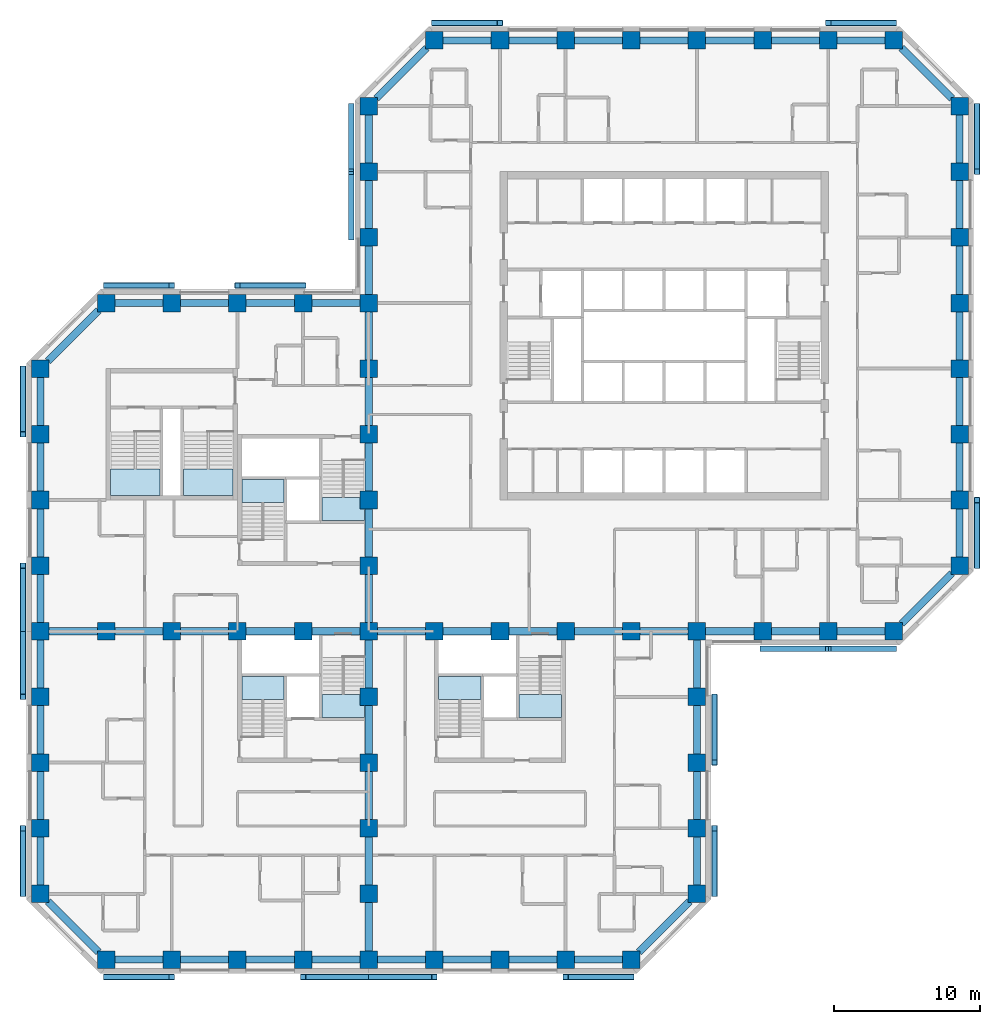
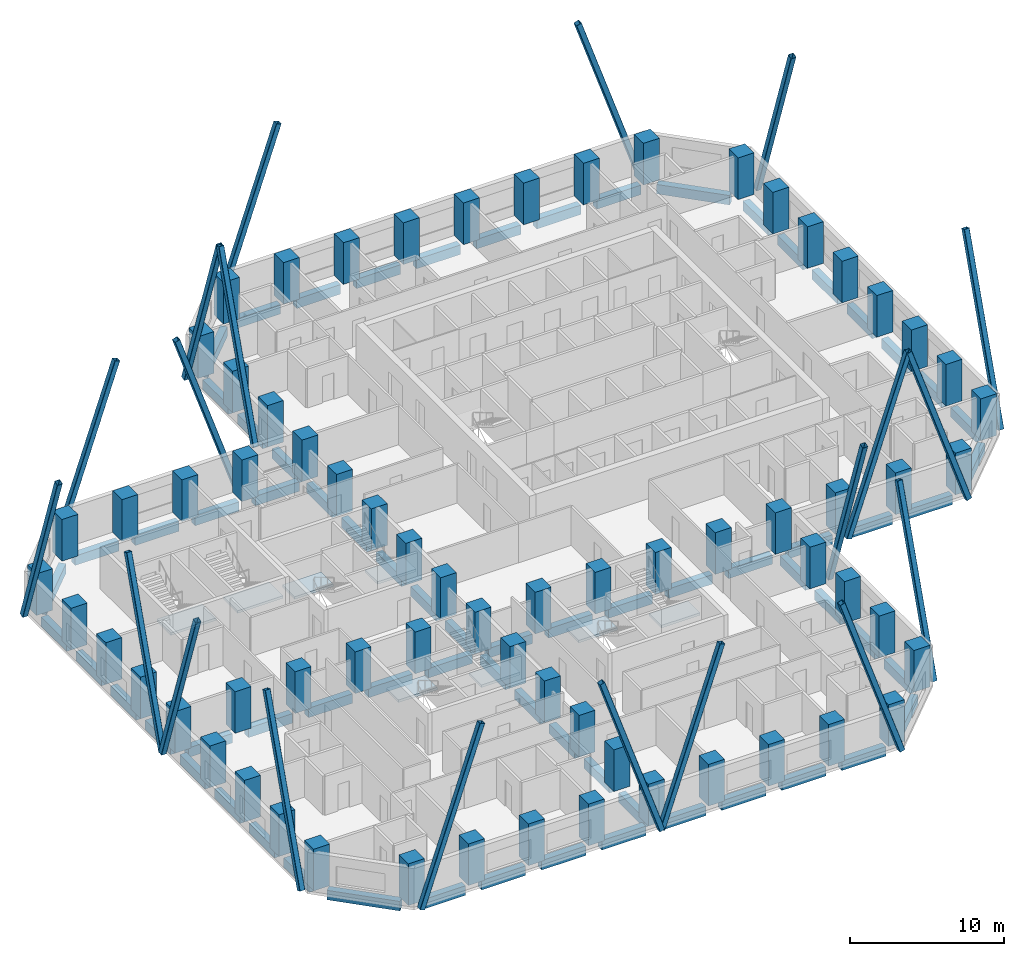
# One storey, part 1 of 13: 70 beams, 67 columns, 20 members, 8 slabs, 8 elements without a shape of their own.
"""IFC4 building model written with IfcOpenShell, lengths in metres."""

from ifc_helpers import new_model, si_unit, direction, frame, origin, origin_2d, place, context, subcontext, project, spatial, polyline, rectangle, hollow_rectangle, outline, extrude, material, layer, layer_set, material_profile, profile_set, type_object, element, aggregate, save


model = new_model("IFC4")

# Units and contexts
model_context = context("Model", 3, precision=1e-05, world=origin(), true_north=direction((0.0, 1.0)))
body_context = subcontext(model_context, "Body", "Model", "MODEL_VIEW")
ifc_project = project(units=[si_unit("LENGTHUNIT", "METRE"), si_unit("AREAUNIT", "SQUARE_METRE"), si_unit("VOLUMEUNIT", "CUBIC_METRE"), si_unit("PLANEANGLEUNIT", "RADIAN"), si_unit("MASSUNIT", "GRAM", prefix="KILO")], contexts=[model_context])

# Site, building, storey
site_placement = place(None, origin())
site = spatial("IfcSite", under=ifc_project, at=site_placement, CompositionType="ELEMENT")
building_placement = place(site_placement, origin())
building = spatial("IfcBuilding", under=site, at=building_placement, Name="Quoin Convention Tower", CompositionType="ELEMENT")
storey_placement = place(building_placement, frame((0.0, 0.0, 39.60009765625)))
storey = spatial("IfcBuildingStorey", under=building, at=storey_placement, Name="L09", CompositionType="ELEMENT", Elevation=39.60009765625)

# Columns
ifc_material_1 = material(Name="Concrete C80", Category="concrete")
ifc_material_profile_1 = material_profile(ifc_material_1, rectangle(XDim=1.199951171875, YDim=1.199951171875, at=origin_2d()), Name="RC 1200x1200")
ifc_profile_set_1 = profile_set([ifc_material_profile_1], Name="Concrete C80")
column_type = type_object("IfcColumnType", Name="RC 1200x1200 C80", PredefinedType="COLUMN", material=ifc_profile_set_1)
for number, where, z_axis, x_axis, name in (
    (1, (18.0, 18.0, 0.0), (0.0, 0.0, 1.0), (1.0, 0.0, 0.0), "col-L09-18000_18000"),
    (2, (22.5, 18.0, 0.0), (0.0, 0.0, 1.0), (1.0, 0.0, 0.0), "col-L09-22500_18000"),
    (3, (27.0, 18.0, 0.0), (0.0, 0.0, 1.0), (1.0, 0.0, 0.0), "col-L09-27000_18000"),
    (4, (31.5, 18.0, 0.0), (0.0, 0.0, 1.0), (1.0, 0.0, 0.0), "col-L09-31500_18000"),
    (5, (36.0, 18.0, 0.0), (0.0, 0.0, 1.0), (1.0, 0.0, 0.0), "col-L09-36000_18000"),
    (6, (40.5, 18.0, 0.0), (0.0, 0.0, 1.0), (1.0, 0.0, 0.0), "col-L09-40500_18000"),
    (7, (45.0, 18.0, 0.0), (0.0, 0.0, 1.0), (1.0, 0.0, 0.0), "col-L09-45000_18000"),
    (8, (49.5, 18.0, 0.0), (0.0, 0.0, 1.0), (1.0, 0.0, 0.0), "col-L09-49500_18000"),
    (9, (54.0, 18.0, 0.0), (0.0, 0.0, 1.0), (1.0, 0.0, 0.0), "col-L09-54000_18000"),
    (10, (13.5, 22.5, 0.0), (0.0, 0.0, 1.0), (1.0, 0.0, 0.0), "col-L09-13500_22500"),
    (11, (36.0, 22.5, 0.0), (0.0, 0.0, 1.0), (1.0, 0.0, 0.0), "web-L09-36000_22500"),
    (12, (58.5, 22.5, 0.0), (0.0, 0.0, 1.0), (1.0, 0.0, 0.0), "col-L09-58500_22500"),
    (13, (13.5, 27.0, 0.0), (0.0, 0.0, 1.0), (1.0, 0.0, 0.0), "col-L09-13500_27000"),
    (14, (36.0, 27.0, 0.0), (0.0, 0.0, 1.0), (1.0, 0.0, 0.0), "web-L09-36000_27000"),
    (15, (58.5, 27.0, 0.0), (0.0, 0.0, 1.0), (1.0, 0.0, 0.0), "col-L09-58500_27000"),
    (16, (13.5, 31.5, 0.0), (0.0, 0.0, 1.0), (1.0, 0.0, 0.0), "col-L09-13500_31500"),
    (17, (36.0, 31.5, 0.0), (0.0, 0.0, 1.0), (1.0, 0.0, 0.0), "web-L09-36000_31500"),
    (18, (58.5, 31.5, 0.0), (0.0, 0.0, 1.0), (1.0, 0.0, 0.0), "col-L09-58500_31500"),
    (19, (13.5, 36.0, 0.0), (0.0, 0.0, 1.0), (1.0, 0.0, 0.0), "col-L09-13500_36000"),
    (20, (36.0, 36.0, 0.0), (0.0, 0.0, 1.0), (1.0, 0.0, 0.0), "web-L09-36000_36000"),
    (21, (58.5, 36.0, 0.0), (0.0, 0.0, 1.0), (1.0, 0.0, 0.0), "col-L09-58500_36000"),
    (22, (13.5, 40.5, 0.0), (0.0, 0.0, 1.0), (1.0, 0.0, 0.0), "col-L09-13500_40500"),
    (23, (18.0, 40.5, 0.0), (0.0, 0.0, 1.0), (1.0, 0.0, 0.0), "web-L09-18000_40500"),
    (24, (22.5, 40.5, 0.0), (0.0, 0.0, 1.0), (1.0, 0.0, 0.0), "web-L09-22500_40500"),
    (25, (27.0, 40.5, 0.0), (0.0, 0.0, 1.0), (1.0, 0.0, 0.0), "web-L09-27000_40500"),
    (26, (31.5, 40.5, 0.0), (0.0, 0.0, 1.0), (1.0, 0.0, 0.0), "web-L09-31500_40500"),
    (27, (36.0, 40.5, 0.0), (0.0, 0.0, 1.0), (1.0, 0.0, 0.0), "web-L09-36000_40500"),
    (28, (40.5, 40.5, 0.0), (0.0, 0.0, 1.0), (1.0, 0.0, 0.0), "web-L09-40500_40500"),
    (29, (45.0, 40.5, 0.0), (0.0, 0.0, 1.0), (1.0, 0.0, 0.0), "web-L09-45000_40500"),
    (30, (49.5, 40.5, 0.0), (0.0, 0.0, 1.0), (1.0, 0.0, 0.0), "web-L09-49500_40500"),
    (31, (54.0, 40.5, 0.0), (0.0, 0.0, 1.0), (1.0, 0.0, 0.0), "web-L09-54000_40500"),
    (32, (58.5, 40.5, 0.0), (0.0, 0.0, 1.0), (1.0, 0.0, 0.0), "col-L09-58500_40500"),
    (33, (63.0, 40.5, 0.0), (0.0, 0.0, 1.0), (1.0, 0.0, 0.0), "col-L09-63000_40500"),
    (34, (67.5, 40.5, 0.0), (0.0, 0.0, 1.0), (1.0, 0.0, 0.0), "col-L09-67500_40500"),
    (35, (72.0, 40.5, 0.0), (0.0, 0.0, 1.0), (1.0, 0.0, 0.0), "col-L09-72000_40500"),
    (36, (13.5, 45.0, 0.0), (0.0, 0.0, 1.0), (1.0, 0.0, 0.0), "col-L09-13500_45000"),
    (37, (36.0, 45.0, 0.0), (0.0, 0.0, 1.0), (1.0, 0.0, 0.0), "web-L09-36000_45000"),
    (38, (76.5, 45.0, 0.0), (0.0, 0.0, 1.0), (1.0, 0.0, 0.0), "col-L09-76500_45000"),
    (39, (13.5, 49.5, 0.0), (0.0, 0.0, 1.0), (1.0, 0.0, 0.0), "col-L09-13500_49500"),
    (40, (36.0, 49.5, 0.0), (0.0, 0.0, 1.0), (1.0, 0.0, 0.0), "web-L09-36000_49500"),
    (41, (76.5, 49.5, 0.0), (0.0, 0.0, 1.0), (1.0, 0.0, 0.0), "col-L09-76500_49500"),
    (42, (13.5, 54.0, 0.0), (0.0, 0.0, 1.0), (1.0, 0.0, 0.0), "col-L09-13500_54000"),
    (43, (36.0, 54.0, 0.0), (0.0, 0.0, 1.0), (1.0, 0.0, 0.0), "web-L09-36000_54000"),
    (44, (76.5, 54.0, 0.0), (0.0, 0.0, 1.0), (1.0, 0.0, 0.0), "col-L09-76500_54000"),
    (45, (13.5, 58.5, 0.0), (0.0, 0.0, 1.0), (1.0, 0.0, 0.0), "col-L09-13500_58500"),
    (46, (36.0, 58.5, 0.0), (0.0, 0.0, 1.0), (1.0, 0.0, 0.0), "web-L09-36000_58500"),
    (47, (76.5, 58.5, 0.0), (0.0, 0.0, 1.0), (1.0, 0.0, 0.0), "col-L09-76500_58500"),
    (48, (18.0, 63.0, 0.0), (0.0, 0.0, 1.0), (1.0, 0.0, 0.0), "col-L09-18000_63000"),
    (49, (22.5, 63.0, 0.0), (0.0, 0.0, 1.0), (1.0, 0.0, 0.0), "col-L09-22500_63000"),
    (50, (27.0, 63.0, 0.0), (0.0, 0.0, 1.0), (1.0, 0.0, 0.0), "col-L09-27000_63000"),
    (51, (31.5, 63.0, 0.0), (0.0, 0.0, 1.0), (1.0, 0.0, 0.0), "col-L09-31500_63000"),
    (52, (36.0, 63.0, 0.0), (0.0, 0.0, 1.0), (1.0, 0.0, 0.0), "col-L09-36000_63000"),
    (53, (76.5, 63.0, 0.0), (0.0, 0.0, 1.0), (1.0, 0.0, 0.0), "col-L09-76500_63000"),
    (54, (36.0, 67.5, 0.0), (0.0, 0.0, 1.0), (1.0, 0.0, 0.0), "col-L09-36000_67500"),
    (55, (76.5, 67.5, 0.0), (0.0, 0.0, 1.0), (1.0, 0.0, 0.0), "col-L09-76500_67500"),
    (56, (36.0, 72.0, 0.0), (0.0, 0.0, 1.0), (1.0, 0.0, 0.0), "col-L09-36000_72000"),
    (57, (76.5, 72.0, 0.0), (0.0, 0.0, 1.0), (1.0, 0.0, 0.0), "col-L09-76500_72000"),
    (58, (36.0, 76.5, 0.0), (0.0, 0.0, 1.0), (1.0, 0.0, 0.0), "col-L09-36000_76500"),
    (59, (76.5, 76.5, 0.0), (0.0, 0.0, 1.0), (1.0, 0.0, 0.0), "col-L09-76500_76500"),
    (60, (40.5, 81.0, 0.0), (0.0, 0.0, 1.0), (1.0, 0.0, 0.0), "col-L09-40500_81000"),
    (61, (45.0, 81.0, 0.0), (0.0, 0.0, 1.0), (1.0, 0.0, 0.0), "col-L09-45000_81000"),
    (62, (49.5, 81.0, 0.0), (0.0, 0.0, 1.0), (1.0, 0.0, 0.0), "col-L09-49500_81000"),
    (63, (54.0, 81.0, 0.0), (0.0, 0.0, 1.0), (1.0, 0.0, 0.0), "col-L09-54000_81000"),
    (64, (58.5, 81.0, 0.0), (0.0, 0.0, 1.0), (1.0, 0.0, 0.0), "col-L09-58500_81000"),
    (65, (63.0, 81.0, 0.0), (0.0, 0.0, 1.0), (1.0, 0.0, 0.0), "col-L09-63000_81000"),
    (66, (67.5, 81.0, 0.0), (0.0, 0.0, 1.0), (1.0, 0.0, 0.0), "col-L09-67500_81000"),
    (67, (72.0, 81.0, 0.0), (0.0, 0.0, 1.0), (1.0, 0.0, 0.0), "col-L09-72000_81000"),
):
    element("IfcColumn", number, at=place(storey_placement, frame(where, z_axis=z_axis, x_axis=x_axis)), inside=storey, type_object=column_type, Name=name, PredefinedType="COLUMN", context=body_context, shape_type="SweptSolid", body=[
        extrude(rectangle(XDim=1.199951171875, YDim=1.199951171875, at=origin_2d()), origin(), (0.0, 0.0, 1.0), 3.2998046875),
    ])

# Members
ifc_material_2 = material(Name="Steel C450L0", Category="steel")
ifc_material_profile_2 = material_profile(ifc_material_2, hollow_rectangle(XDim=0.39990234375, YDim=0.39990234375, WallThickness=0.01611328125, InnerFilletRadius=0.02392578125, OuterFilletRadius=0.0400390625, at=origin_2d()), Name="400x400x16.0SHS")
ifc_profile_set_2 = profile_set([ifc_material_profile_2], Name="Steel C450L0")
member_type = type_object("IfcMemberType", Name="Exposed brace 400x400x16.0SHS", PredefinedType="BRACE", material=ifc_profile_set_2)
for number, where, z_axis, x_axis, name in (
    (68, (12.300048828125, 40.5, -0.0751953125), (0.0, -0.322669650533, 0.946511646323), (1.0, 0.0, 0.0), "brc-L09-13500_40500-13500_36000"),
    (69, (12.300048828125, 22.5, -0.0751953125), (0.0, 0.322669650533, 0.946511646323), (-1.0, 0.0, 0.0), "brc-L09-13500_27000-13500_22500"),
    (70, (12.300048828125, 58.5, -0.0751953125), (0.0, -0.322669650533, 0.946511646323), (1.0, 0.0, 0.0), "brc-L09-13500_58500-13500_54000"),
    (71, (12.300048828125, 40.5, -0.0751953125), (0.0, 0.322669650533, 0.946511646323), (-1.0, 0.0, 0.0), "brc-L09-13500_45000-13500_40500"),
    (72, (18.0, 16.800048828125, -0.0751953125), (0.322669650533, 0.0, 0.946511646323), (0.0, 1.0, 0.0), "brc-L09-18000_18000-22500_18000"),
    (73, (36.0, 16.800048828125, -0.0751953125), (-0.322669650533, 0.0, 0.946511646323), (0.0, -1.0, 0.0), "brc-L09-31500_18000-36000_18000"),
    (74, (36.0, 16.800048828125, -0.0751953125), (0.322669650533, 0.0, 0.946511646323), (0.0, 1.0, 0.0), "brc-L09-36000_18000-40500_18000"),
    (75, (54.0, 16.800048828125, -0.0751953125), (-0.322669650533, 0.0, 0.946511646323), (0.0, -1.0, 0.0), "brc-L09-49500_18000-54000_18000"),
    (76, (31.5, 64.199951171875, -0.0751953125), (-0.322669650533, 0.0, 0.946511646323), (0.0, -1.0, 0.0), "brc-L09-31500_63000-27000_63000"),
    (77, (18.0, 64.199951171875, -0.0751953125), (0.322669650533, 0.0, 0.946511646323), (0.0, 1.0, 0.0), "brc-L09-22500_63000-18000_63000"),
    (78, (34.800048828125, 76.5, -0.0751953125), (0.0, -0.322669650533, 0.946511646323), (1.0, 0.0, 0.0), "brc-L09-36000_76500-36000_72000"),
    (79, (34.800048828125, 67.5, -0.0751953125), (0.0, 0.322669650533, 0.946511646323), (-1.0, 0.0, 0.0), "brc-L09-36000_72000-36000_67500"),
    (80, (59.699951171875, 22.5, -0.0751953125), (0.0, 0.322669650533, 0.946511646323), (-1.0, 0.0, 0.0), "brc-L09-58500_22500-58500_27000"),
    (81, (59.699951171875, 36.0, -0.0751953125), (0.0, -0.322669650533, 0.946511646323), (1.0, 0.0, 0.0), "brc-L09-58500_31500-58500_36000"),
    (82, (63.0, 39.300048828125, -0.0751953125), (0.322669650533, 0.0, 0.946511646323), (0.0, 1.0, 0.0), "brc-L09-63000_40500-67500_40500"),
    (83, (72.0, 39.300048828125, -0.0751953125), (-0.322669650533, 0.0, 0.946511646323), (0.0, -1.0, 0.0), "brc-L09-67500_40500-72000_40500"),
    (84, (72.0, 82.199951171875, -0.0751953125), (-0.322669650533, 0.0, 0.946511646323), (0.0, -1.0, 0.0), "brc-L09-72000_81000-67500_81000"),
    (85, (40.5, 82.199951171875, -0.0751953125), (0.322669650533, 0.0, 0.946511646323), (0.0, 1.0, 0.0), "brc-L09-45000_81000-40500_81000"),
    (86, (77.699951171875, 45.0, -0.0751953125), (0.0, 0.322669650533, 0.946511646323), (-1.0, 0.0, 0.0), "brc-L09-76500_45000-76500_49500"),
    (87, (77.699951171875, 76.5, -0.0751953125), (0.0, -0.322669650533, 0.946511646323), (1.0, 0.0, 0.0), "brc-L09-76500_72000-76500_76500"),
):
    element("IfcMember", number, at=place(storey_placement, frame(where, z_axis=z_axis, x_axis=x_axis)), inside=storey, type_object=member_type, Name=name, PredefinedType="BRACE", context=body_context, shape_type="SweptSolid", body=[
        extrude(hollow_rectangle(XDim=0.39990234375, YDim=0.39990234375, WallThickness=0.01611328125, InnerFilletRadius=0.02392578125, OuterFilletRadius=0.0400390625, at=origin_2d()), origin(), (0.0, 0.0, 1.0), 13.946044921875),
    ])

# Beams
ifc_material_profile_3 = material_profile(ifc_material_1, rectangle(XDim=0.5, YDim=0.75, at=origin_2d()), Name="RC 500x750")
ifc_profile_set_3 = profile_set([ifc_material_profile_3], Name="Concrete C80")
beam_type = type_object("IfcBeamType", Name="RC 500x750 C80", PredefinedType="SPANDREL", material=ifc_profile_set_3)
beam_1_placement = place(storey_placement, frame((14.01513671875, 21.98486328125, -0.59521484375), z_axis=(0.707106781187, -0.707106781187, 0.0), x_axis=(0.707106781187, 0.707106781187, 0.0)))
element("IfcBeam", 88, at=beam_1_placement, inside=storey, type_object=beam_type, Name="spd-L09-13500_22500-18000_18000", PredefinedType="SPANDREL", context=body_context, shape_type="SweptSolid", body=[
    extrude(rectangle(XDim=0.5, YDim=0.75, at=origin_2d()), origin(), (0.0, 0.0, 1.0), 4.906982421875),
])
for number, where, z_axis, x_axis, name in (
    (89, (18.60009765625, 18.0, -0.59521484375), (1.0, 0.0, 0.0), (0.0, 1.0, 0.0), "spd-L09-18000_18000-22500_18000"),
    (90, (23.10009765625, 18.0, -0.59521484375), (1.0, 0.0, 0.0), (0.0, 1.0, 0.0), "spd-L09-22500_18000-27000_18000"),
    (91, (27.60009765625, 18.0, -0.59521484375), (1.0, 0.0, 0.0), (0.0, 1.0, 0.0), "spd-L09-27000_18000-31500_18000"),
    (92, (32.10009765625, 18.0, -0.59521484375), (1.0, 0.0, 0.0), (0.0, 1.0, 0.0), "spd-L09-31500_18000-36000_18000"),
    (93, (36.60009765625, 18.0, -0.59521484375), (1.0, 0.0, 0.0), (0.0, 1.0, 0.0), "spd-L09-36000_18000-40500_18000"),
    (94, (41.10009765625, 18.0, -0.59521484375), (1.0, 0.0, 0.0), (0.0, 1.0, 0.0), "spd-L09-40500_18000-45000_18000"),
    (95, (45.60009765625, 18.0, -0.59521484375), (1.0, 0.0, 0.0), (0.0, 1.0, 0.0), "spd-L09-45000_18000-49500_18000"),
    (96, (50.10009765625, 18.0, -0.59521484375), (1.0, 0.0, 0.0), (0.0, 1.0, 0.0), "spd-L09-49500_18000-54000_18000"),
):
    element("IfcBeam", number, at=place(storey_placement, frame(where, z_axis=z_axis, x_axis=x_axis)), inside=storey, type_object=beam_type, Name=name, PredefinedType="SPANDREL", context=body_context, shape_type="SweptSolid", body=[
        extrude(rectangle(XDim=0.5, YDim=0.75, at=origin_2d()), origin(), (0.0, 0.0, 1.0), 3.2998046875),
    ])
beam_2_placement = place(storey_placement, frame((54.51513671875, 18.51513671875, -0.59521484375), z_axis=(0.707106781187, 0.707106781187, 0.0), x_axis=(-0.707106781187, 0.707106781187, 0.0)))
element("IfcBeam", 97, at=beam_2_placement, inside=storey, type_object=beam_type, Name="spd-L09-54000_18000-58500_22500", PredefinedType="SPANDREL", context=body_context, shape_type="SweptSolid", body=[
    extrude(rectangle(XDim=0.5, YDim=0.75, at=origin_2d()), origin(), (0.0, 0.0, 1.0), 4.906982421875),
])
for number, where, z_axis, x_axis, name in (
    (98, (58.5, 23.10009765625, -0.59521484375), (0.0, 1.0, 0.0), (-1.0, 0.0, 0.0), "spd-L09-58500_22500-58500_27000"),
    (99, (58.5, 27.60009765625, -0.59521484375), (0.0, 1.0, 0.0), (-1.0, 0.0, 0.0), "spd-L09-58500_27000-58500_31500"),
    (100, (58.5, 32.10009765625, -0.59521484375), (0.0, 1.0, 0.0), (-1.0, 0.0, 0.0), "spd-L09-58500_31500-58500_36000"),
    (101, (58.5, 36.60009765625, -0.59521484375), (0.0, 1.0, 0.0), (-1.0, 0.0, 0.0), "spd-L09-58500_36000-58500_40500"),
    (102, (59.10009765625, 40.5, -0.59521484375), (1.0, 0.0, 0.0), (0.0, 1.0, 0.0), "spd-L09-58500_40500-63000_40500"),
    (103, (63.60009765625, 40.5, -0.59521484375), (1.0, 0.0, 0.0), (0.0, 1.0, 0.0), "spd-L09-63000_40500-67500_40500"),
    (104, (68.10009765625, 40.5, -0.59521484375), (1.0, 0.0, 0.0), (0.0, 1.0, 0.0), "spd-L09-67500_40500-72000_40500"),
):
    element("IfcBeam", number, at=place(storey_placement, frame(where, z_axis=z_axis, x_axis=x_axis)), inside=storey, type_object=beam_type, Name=name, PredefinedType="SPANDREL", context=body_context, shape_type="SweptSolid", body=[
        extrude(rectangle(XDim=0.5, YDim=0.75, at=origin_2d()), origin(), (0.0, 0.0, 1.0), 3.2998046875),
    ])
beam_3_placement = place(storey_placement, frame((72.51513671875, 41.01513671875, -0.59521484375), z_axis=(0.707106781187, 0.707106781187, 0.0), x_axis=(-0.707106781187, 0.707106781187, 0.0)))
element("IfcBeam", 105, at=beam_3_placement, inside=storey, type_object=beam_type, Name="spd-L09-72000_40500-76500_45000", PredefinedType="SPANDREL", context=body_context, shape_type="SweptSolid", body=[
    extrude(rectangle(XDim=0.5, YDim=0.75, at=origin_2d()), origin(), (0.0, 0.0, 1.0), 4.906982421875),
])
for number, where, z_axis, x_axis, name in (
    (106, (76.5, 45.60009765625, -0.59521484375), (0.0, 1.0, 0.0), (-1.0, 0.0, 0.0), "spd-L09-76500_45000-76500_49500"),
    (107, (76.5, 50.10009765625, -0.59521484375), (0.0, 1.0, 0.0), (-1.0, 0.0, 0.0), "spd-L09-76500_49500-76500_54000"),
    (108, (76.5, 54.60009765625, -0.59521484375), (0.0, 1.0, 0.0), (-1.0, 0.0, 0.0), "spd-L09-76500_54000-76500_58500"),
    (109, (76.5, 59.10009765625, -0.59521484375), (0.0, 1.0, 0.0), (-1.0, 0.0, 0.0), "spd-L09-76500_58500-76500_63000"),
    (110, (76.5, 63.60009765625, -0.59521484375), (0.0, 1.0, 0.0), (-1.0, 0.0, 0.0), "spd-L09-76500_63000-76500_67500"),
    (111, (76.5, 68.10009765625, -0.59521484375), (0.0, 1.0, 0.0), (-1.0, 0.0, 0.0), "spd-L09-76500_67500-76500_72000"),
    (112, (76.5, 72.60009765625, -0.59521484375), (0.0, 1.0, 0.0), (-1.0, 0.0, 0.0), "spd-L09-76500_72000-76500_76500"),
):
    element("IfcBeam", number, at=place(storey_placement, frame(where, z_axis=z_axis, x_axis=x_axis)), inside=storey, type_object=beam_type, Name=name, PredefinedType="SPANDREL", context=body_context, shape_type="SweptSolid", body=[
        extrude(rectangle(XDim=0.5, YDim=0.75, at=origin_2d()), origin(), (0.0, 0.0, 1.0), 3.2998046875),
    ])
beam_4_placement = place(storey_placement, frame((75.98486328125, 77.01513671875, -0.59521484375), z_axis=(-0.707106781187, 0.707106781187, 0.0), x_axis=(-0.707106781187, -0.707106781187, 0.0)))
element("IfcBeam", 113, at=beam_4_placement, inside=storey, type_object=beam_type, Name="spd-L09-76500_76500-72000_81000", PredefinedType="SPANDREL", context=body_context, shape_type="SweptSolid", body=[
    extrude(rectangle(XDim=0.5, YDim=0.75, at=origin_2d()), origin(), (0.0, 0.0, 1.0), 4.906982421875),
])
for number, where, z_axis, x_axis, name in (
    (114, (71.39990234375, 81.0, -0.59521484375), (-1.0, 0.0, 0.0), (0.0, -1.0, 0.0), "spd-L09-72000_81000-67500_81000"),
    (115, (66.89990234375, 81.0, -0.59521484375), (-1.0, 0.0, 0.0), (0.0, -1.0, 0.0), "spd-L09-67500_81000-63000_81000"),
    (116, (62.39990234375, 81.0, -0.59521484375), (-1.0, 0.0, 0.0), (0.0, -1.0, 0.0), "spd-L09-63000_81000-58500_81000"),
    (117, (57.89990234375, 81.0, -0.59521484375), (-1.0, 0.0, 0.0), (0.0, -1.0, 0.0), "spd-L09-58500_81000-54000_81000"),
    (118, (53.39990234375, 81.0, -0.59521484375), (-1.0, 0.0, 0.0), (0.0, -1.0, 0.0), "spd-L09-54000_81000-49500_81000"),
    (119, (48.89990234375, 81.0, -0.59521484375), (-1.0, 0.0, 0.0), (0.0, -1.0, 0.0), "spd-L09-49500_81000-45000_81000"),
    (120, (44.39990234375, 81.0, -0.59521484375), (-1.0, 0.0, 0.0), (0.0, -1.0, 0.0), "spd-L09-45000_81000-40500_81000"),
):
    element("IfcBeam", number, at=place(storey_placement, frame(where, z_axis=z_axis, x_axis=x_axis)), inside=storey, type_object=beam_type, Name=name, PredefinedType="SPANDREL", context=body_context, shape_type="SweptSolid", body=[
        extrude(rectangle(XDim=0.5, YDim=0.75, at=origin_2d()), origin(), (0.0, 0.0, 1.0), 3.2998046875),
    ])
beam_5_placement = place(storey_placement, frame((39.98486328125, 80.48486328125, -0.59521484375), z_axis=(-0.707106781187, -0.707106781187, 0.0), x_axis=(0.707106781187, -0.707106781187, 0.0)))
element("IfcBeam", 121, at=beam_5_placement, inside=storey, type_object=beam_type, Name="spd-L09-40500_81000-36000_76500", PredefinedType="SPANDREL", context=body_context, shape_type="SweptSolid", body=[
    extrude(rectangle(XDim=0.5, YDim=0.75, at=origin_2d()), origin(), (0.0, 0.0, 1.0), 4.906982421875),
])
for number, where, z_axis, x_axis, name in (
    (122, (36.0, 75.89990234375, -0.59521484375), (0.0, -1.0, 0.0), (1.0, 0.0, 0.0), "spd-L09-36000_76500-36000_72000"),
    (123, (36.0, 71.39990234375, -0.59521484375), (0.0, -1.0, 0.0), (1.0, 0.0, 0.0), "spd-L09-36000_72000-36000_67500"),
    (124, (36.0, 66.89990234375, -0.59521484375), (0.0, -1.0, 0.0), (1.0, 0.0, 0.0), "spd-L09-36000_67500-36000_63000"),
    (125, (35.39990234375, 63.0, -0.59521484375), (-1.0, 0.0, 0.0), (0.0, -1.0, 0.0), "spd-L09-36000_63000-31500_63000"),
    (126, (30.89990234375, 63.0, -0.59521484375), (-1.0, 0.0, 0.0), (0.0, -1.0, 0.0), "spd-L09-31500_63000-27000_63000"),
    (127, (26.39990234375, 63.0, -0.59521484375), (-1.0, 0.0, 0.0), (0.0, -1.0, 0.0), "spd-L09-27000_63000-22500_63000"),
    (128, (21.89990234375, 63.0, -0.59521484375), (-1.0, 0.0, 0.0), (0.0, -1.0, 0.0), "spd-L09-22500_63000-18000_63000"),
):
    element("IfcBeam", number, at=place(storey_placement, frame(where, z_axis=z_axis, x_axis=x_axis)), inside=storey, type_object=beam_type, Name=name, PredefinedType="SPANDREL", context=body_context, shape_type="SweptSolid", body=[
        extrude(rectangle(XDim=0.5, YDim=0.75, at=origin_2d()), origin(), (0.0, 0.0, 1.0), 3.2998046875),
    ])
beam_6_placement = place(storey_placement, frame((17.48486328125, 62.48486328125, -0.59521484375), z_axis=(-0.707106781187, -0.707106781187, 0.0), x_axis=(0.707106781187, -0.707106781187, 0.0)))
element("IfcBeam", 129, at=beam_6_placement, inside=storey, type_object=beam_type, Name="spd-L09-18000_63000-13500_58500", PredefinedType="SPANDREL", context=body_context, shape_type="SweptSolid", body=[
    extrude(rectangle(XDim=0.5, YDim=0.75, at=origin_2d()), origin(), (0.0, 0.0, 1.0), 4.906982421875),
])
for number, where, z_axis, x_axis, name in (
    (130, (13.5, 57.89990234375, -0.59521484375), (0.0, -1.0, 0.0), (1.0, 0.0, 0.0), "spd-L09-13500_58500-13500_54000"),
    (131, (13.5, 53.39990234375, -0.59521484375), (0.0, -1.0, 0.0), (1.0, 0.0, 0.0), "spd-L09-13500_54000-13500_49500"),
    (132, (13.5, 48.89990234375, -0.59521484375), (0.0, -1.0, 0.0), (1.0, 0.0, 0.0), "spd-L09-13500_49500-13500_45000"),
    (133, (13.5, 44.39990234375, -0.59521484375), (0.0, -1.0, 0.0), (1.0, 0.0, 0.0), "spd-L09-13500_45000-13500_40500"),
    (134, (13.5, 39.89990234375, -0.59521484375), (0.0, -1.0, 0.0), (1.0, 0.0, 0.0), "spd-L09-13500_40500-13500_36000"),
    (135, (13.5, 35.39990234375, -0.59521484375), (0.0, -1.0, 0.0), (1.0, 0.0, 0.0), "spd-L09-13500_36000-13500_31500"),
    (136, (13.5, 30.89990234375, -0.59521484375), (0.0, -1.0, 0.0), (1.0, 0.0, 0.0), "spd-L09-13500_31500-13500_27000"),
    (137, (13.5, 26.39990234375, -0.59521484375), (0.0, -1.0, 0.0), (1.0, 0.0, 0.0), "spd-L09-13500_27000-13500_22500"),
    (138, (14.10009765625, 40.5, -0.59521484375), (1.0, 0.0, 0.0), (0.0, 1.0, 0.0), "spd-L09-13500_40500-18000_40500"),
    (139, (18.60009765625, 40.5, -0.59521484375), (1.0, 0.0, 0.0), (0.0, 1.0, 0.0), "spd-L09-18000_40500-22500_40500"),
    (140, (23.10009765625, 40.5, -0.59521484375), (1.0, 0.0, 0.0), (0.0, 1.0, 0.0), "spd-L09-22500_40500-27000_40500"),
    (141, (27.60009765625, 40.5, -0.59521484375), (1.0, 0.0, 0.0), (0.0, 1.0, 0.0), "spd-L09-27000_40500-31500_40500"),
    (142, (32.10009765625, 40.5, -0.59521484375), (1.0, 0.0, 0.0), (0.0, 1.0, 0.0), "spd-L09-31500_40500-36000_40500"),
    (143, (36.60009765625, 40.5, -0.59521484375), (1.0, 0.0, 0.0), (0.0, 1.0, 0.0), "spd-L09-36000_40500-40500_40500"),
    (144, (41.10009765625, 40.5, -0.59521484375), (1.0, 0.0, 0.0), (0.0, 1.0, 0.0), "spd-L09-40500_40500-45000_40500"),
    (145, (45.60009765625, 40.5, -0.59521484375), (1.0, 0.0, 0.0), (0.0, 1.0, 0.0), "spd-L09-45000_40500-49500_40500"),
    (146, (50.10009765625, 40.5, -0.59521484375), (1.0, 0.0, 0.0), (0.0, 1.0, 0.0), "spd-L09-49500_40500-54000_40500"),
    (147, (54.60009765625, 40.5, -0.59521484375), (1.0, 0.0, 0.0), (0.0, 1.0, 0.0), "spd-L09-54000_40500-58500_40500"),
    (148, (36.0, 18.60009765625, -0.59521484375), (0.0, 1.0, 0.0), (-1.0, 0.0, 0.0), "spd-L09-36000_18000-36000_22500"),
    (149, (36.0, 23.10009765625, -0.59521484375), (0.0, 1.0, 0.0), (-1.0, 0.0, 0.0), "spd-L09-36000_22500-36000_27000"),
    (150, (36.0, 27.60009765625, -0.59521484375), (0.0, 1.0, 0.0), (-1.0, 0.0, 0.0), "spd-L09-36000_27000-36000_31500"),
    (151, (36.0, 32.10009765625, -0.59521484375), (0.0, 1.0, 0.0), (-1.0, 0.0, 0.0), "spd-L09-36000_31500-36000_36000"),
    (152, (36.0, 36.60009765625, -0.59521484375), (0.0, 1.0, 0.0), (-1.0, 0.0, 0.0), "spd-L09-36000_36000-36000_40500"),
    (153, (36.0, 41.10009765625, -0.59521484375), (0.0, 1.0, 0.0), (-1.0, 0.0, 0.0), "spd-L09-36000_40500-36000_45000"),
    (154, (36.0, 45.60009765625, -0.59521484375), (0.0, 1.0, 0.0), (-1.0, 0.0, 0.0), "spd-L09-36000_45000-36000_49500"),
    (155, (36.0, 50.10009765625, -0.59521484375), (0.0, 1.0, 0.0), (-1.0, 0.0, 0.0), "spd-L09-36000_49500-36000_54000"),
    (156, (36.0, 54.60009765625, -0.59521484375), (0.0, 1.0, 0.0), (-1.0, 0.0, 0.0), "spd-L09-36000_54000-36000_58500"),
    (157, (36.0, 59.10009765625, -0.59521484375), (0.0, 1.0, 0.0), (-1.0, 0.0, 0.0), "spd-L09-36000_58500-36000_63000"),
):
    element("IfcBeam", number, at=place(storey_placement, frame(where, z_axis=z_axis, x_axis=x_axis)), inside=storey, type_object=beam_type, Name=name, PredefinedType="SPANDREL", context=body_context, shape_type="SweptSolid", body=[
        extrude(rectangle(XDim=0.5, YDim=0.75, at=origin_2d()), origin(), (0.0, 0.0, 1.0), 3.2998046875),
    ])

# Stair, slab
ifc_material_3 = material(Name="Concrete C40", Category="concrete")
stair_type_1 = type_object("IfcStairType", Name="Exit stair two-flight 1350", PredefinedType="HALF_TURN_STAIR", material=ifc_material_3)
stair_1_placement = place(storey_placement, origin())
stair_1 = element("IfcStair", 158, at=stair_1_placement, inside=storey, type_object=stair_type_1, Name="SD3 L09", PredefinedType="HALF_TURN_STAIR")
ifc_layer = layer(ifc_material_3, 0.199951171875)
ifc_layer_set = layer_set([ifc_layer], Name="Concrete C40")
slab_type = type_object("IfcSlabType", Name="Stair landing 200", PredefinedType="LANDING", material=ifc_layer_set)
slab_1_placement = place(storey_placement, frame((0.0, 0.0, 1.449951171875)))
slab_1 = element("IfcSlab", 159, at=slab_1_placement, type_object=slab_type, Name="ST3 landing 1", PredefinedType="LANDING", context=body_context, shape_type="SweptSolid", body=[
    extrude(outline(polyline([(27.300048828125, 49.320068359375), (30.199951171875, 49.320068359375), (30.199951171875, 50.89990234375), (27.300048828125, 50.89990234375), (27.300048828125, 49.320068359375)])), origin(), (0.0, 0.0, 1.0), 0.199951171875),
])
aggregate(stair_1, [slab_1])

stair_2_placement = place(storey_placement, origin())
stair_2 = element("IfcStair", 160, at=stair_2_placement, inside=storey, type_object=stair_type_1, Name="SD4 L09", PredefinedType="HALF_TURN_STAIR")
slab_2_placement = place(storey_placement, frame((0.0, 0.0, 1.449951171875)))
slab_2 = element("IfcSlab", 161, at=slab_2_placement, type_object=slab_type, Name="ST4 landing 1", PredefinedType="LANDING", context=body_context, shape_type="SweptSolid", body=[
    extrude(outline(polyline([(35.699951171875, 49.679931640625), (32.800048828125, 49.679931640625), (32.800048828125, 48.10009765625), (35.699951171875, 48.10009765625), (35.699951171875, 49.679931640625)])), origin(), (0.0, 0.0, 1.0), 0.199951171875),
])
aggregate(stair_2, [slab_2])

stair_3_placement = place(storey_placement, origin())
stair_3 = element("IfcStair", 162, at=stair_3_placement, inside=storey, type_object=stair_type_1, Name="SD5 L09", PredefinedType="HALF_TURN_STAIR")
slab_3_placement = place(storey_placement, frame((0.0, 0.0, 1.449951171875)))
slab_3 = element("IfcSlab", 163, at=slab_3_placement, type_object=slab_type, Name="ST5 landing 1", PredefinedType="LANDING", context=body_context, shape_type="SweptSolid", body=[
    extrude(outline(polyline([(40.800048828125, 35.820068359375), (43.699951171875, 35.820068359375), (43.699951171875, 37.39990234375), (40.800048828125, 37.39990234375), (40.800048828125, 35.820068359375)])), origin(), (0.0, 0.0, 1.0), 0.199951171875),
])
aggregate(stair_3, [slab_3])

stair_4_placement = place(storey_placement, origin())
stair_4 = element("IfcStair", 164, at=stair_4_placement, inside=storey, type_object=stair_type_1, Name="SD6 L09", PredefinedType="HALF_TURN_STAIR")
slab_4_placement = place(storey_placement, frame((0.0, 0.0, 1.449951171875)))
slab_4 = element("IfcSlab", 165, at=slab_4_placement, type_object=slab_type, Name="ST6 landing 1", PredefinedType="LANDING", context=body_context, shape_type="SweptSolid", body=[
    extrude(outline(polyline([(49.199951171875, 36.179931640625), (46.300048828125, 36.179931640625), (46.300048828125, 34.60009765625), (49.199951171875, 34.60009765625), (49.199951171875, 36.179931640625)])), origin(), (0.0, 0.0, 1.0), 0.199951171875),
])
aggregate(stair_4, [slab_4])

stair_5_placement = place(storey_placement, origin())
stair_5 = element("IfcStair", 166, at=stair_5_placement, inside=storey, type_object=stair_type_1, Name="SD7 L09", PredefinedType="HALF_TURN_STAIR")
slab_5_placement = place(storey_placement, frame((0.0, 0.0, 1.449951171875)))
slab_5 = element("IfcSlab", 167, at=slab_5_placement, type_object=slab_type, Name="ST7 landing 1", PredefinedType="LANDING", context=body_context, shape_type="SweptSolid", body=[
    extrude(outline(polyline([(27.300048828125, 35.820068359375), (30.199951171875, 35.820068359375), (30.199951171875, 37.39990234375), (27.300048828125, 37.39990234375), (27.300048828125, 35.820068359375)])), origin(), (0.0, 0.0, 1.0), 0.199951171875),
])
aggregate(stair_5, [slab_5])

stair_6_placement = place(storey_placement, origin())
stair_6 = element("IfcStair", 168, at=stair_6_placement, inside=storey, type_object=stair_type_1, Name="SD8 L09", PredefinedType="HALF_TURN_STAIR")
slab_6_placement = place(storey_placement, frame((0.0, 0.0, 1.449951171875)))
slab_6 = element("IfcSlab", 169, at=slab_6_placement, type_object=slab_type, Name="ST8 landing 1", PredefinedType="LANDING", context=body_context, shape_type="SweptSolid", body=[
    extrude(outline(polyline([(35.699951171875, 36.179931640625), (32.800048828125, 36.179931640625), (32.800048828125, 34.60009765625), (35.699951171875, 34.60009765625), (35.699951171875, 36.179931640625)])), origin(), (0.0, 0.0, 1.0), 0.199951171875),
])
aggregate(stair_6, [slab_6])

stair_type_2 = type_object("IfcStairType", Name="Exit stair two-flight 1600", PredefinedType="HALF_TURN_STAIR", material=ifc_material_3)
stair_7_placement = place(storey_placement, origin())
stair_7 = element("IfcStair", 170, at=stair_7_placement, inside=storey, type_object=stair_type_2, Name="SD11 L09", PredefinedType="HALF_TURN_STAIR")
slab_7_placement = place(storey_placement, frame((0.0, 0.0, 1.449951171875)))
slab_7 = element("IfcSlab", 171, at=slab_7_placement, type_object=slab_type, Name="ST11 landing 1", PredefinedType="LANDING", context=body_context, shape_type="SweptSolid", body=[
    extrude(outline(polyline([(21.699951171875, 51.6298828125), (18.300048828125, 51.6298828125), (18.300048828125, 49.800048828125), (21.699951171875, 49.800048828125), (21.699951171875, 51.6298828125)])), origin(), (0.0, 0.0, 1.0), 0.199951171875),
])
aggregate(stair_7, [slab_7])

stair_8_placement = place(storey_placement, origin())
stair_8 = element("IfcStair", 172, at=stair_8_placement, inside=storey, type_object=stair_type_2, Name="SD12 L09", PredefinedType="HALF_TURN_STAIR")
slab_8_placement = place(storey_placement, frame((0.0, 0.0, 1.449951171875)))
slab_8 = element("IfcSlab", 173, at=slab_8_placement, type_object=slab_type, Name="ST12 landing 1", PredefinedType="LANDING", context=body_context, shape_type="SweptSolid", body=[
    extrude(outline(polyline([(26.699951171875, 51.6298828125), (23.300048828125, 51.6298828125), (23.300048828125, 49.800048828125), (26.699951171875, 49.800048828125), (26.699951171875, 51.6298828125)])), origin(), (0.0, 0.0, 1.0), 0.199951171875),
])
aggregate(stair_8, [slab_8])

save(model, "model.ifc")
